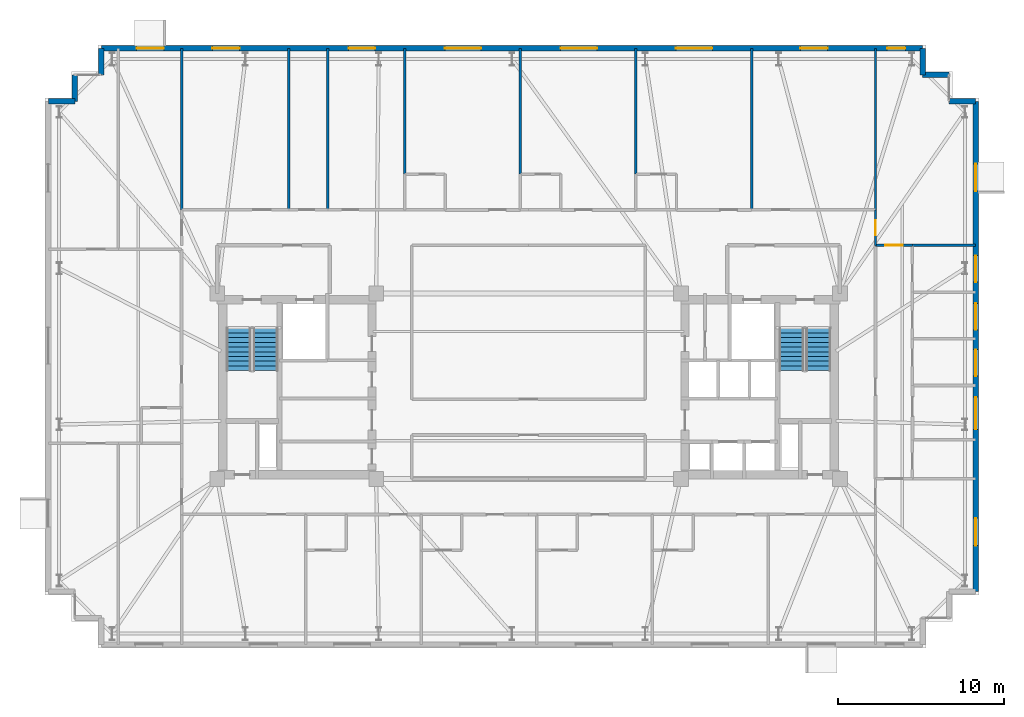
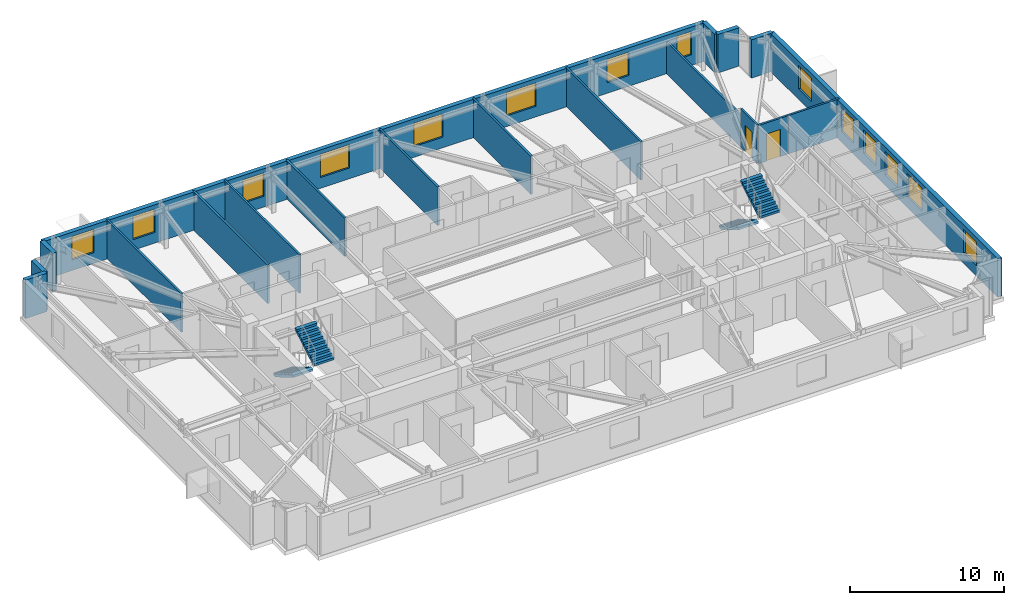
# One storey, part 15 of 17: 19 walls, 14 windows, 4 stair flights, 2 doors, 16 openings, 2 elements without a shape of their own.
"""IFC4 building model written with IfcOpenShell, lengths in metres."""

import ifcopenshell
import ifcopenshell.guid

model = None  # the IFC model being written
_history = None  # IfcOwnerHistory: only IFC2X3 demands one
_inside = {}  # id of a spatial element -> (the spatial element, [elements in it])
_under = {}  # id of a project, library or spatial element -> (it, [spatial elements below it])
_declared = {}  # id of a project -> (the project, [libraries it declares])
_typed = {}  # id of a type object -> (the type object, [elements of that type])
_made_of = {}  # id of a material, layer set ... -> (it, [elements and type objects made of it])


def new_model(schema):
    """Start an empty IFC model of exactly this schema.

    Asked for "IFC4X3", IfcOpenShell would pick the latest addendum, in which some entities
    have other attributes; the version numbers below select the first issue.
    IFC2X3 requires an IfcOwnerHistory on every rooted entity: one is made here for all.
    """
    global model, _history
    if schema == "IFC4X3":
        model = ifcopenshell.file(schema_version=(4, 3, 0, 0))
    else:
        model = ifcopenshell.file(schema=schema)
    _inside.clear()
    _under.clear()
    _declared.clear()
    _typed.clear()
    _made_of.clear()
    _history = None
    if model.schema == "IFC2X3":
        org = make("IfcOrganization", Name="unknown")
        user = make(
            "IfcPersonAndOrganization",
            ThePerson=make("IfcPerson", FamilyName="unknown"),
            TheOrganization=org,
        )
        app = make(
            "IfcApplication",
            ApplicationDeveloper=org,
            Version="unknown",
            ApplicationFullName="unknown",
            ApplicationIdentifier="unknown",
        )
        _history = make(
            "IfcOwnerHistory",
            OwningUser=user,
            OwningApplication=app,
            ChangeAction="ADDED",
            CreationDate=0,
        )
    return model


def make(cls, **values):
    """One entity of the class cls with the attributes given. An attribute that is None is left unset."""
    return model.create_entity(
        cls, **{name: value for name, value in values.items() if value is not None}
    )


def rooted(cls, **values):
    """An entity with a GlobalId (a new one), such as an element, a storey or a relation."""
    return make(cls, GlobalId=ifcopenshell.guid.new(), OwnerHistory=_history, **values)


def si_unit(unit_type, name, prefix=None):
    """IfcSIUnit, for example si_unit("LENGTHUNIT", "METRE", prefix="MILLI")."""
    return make("IfcSIUnit", UnitType=unit_type, Prefix=prefix, Name=name)


def assignment(units):
    """IfcUnitAssignment: the units of a project."""
    return None if units is None else make("IfcUnitAssignment", Units=units)


def point(xyz):
    """IfcCartesianPoint."""
    return None if xyz is None else make("IfcCartesianPoint", Coordinates=xyz)


def direction(xyz):
    """IfcDirection."""
    return None if xyz is None else make("IfcDirection", DirectionRatios=xyz)


def frame(location, z_axis=None, x_axis=None):
    """IfcAxis2Placement3D, a coordinate frame: its origin and axes. An axis left out is left unset."""
    return make(
        "IfcAxis2Placement3D",
        Location=point(location),
        Axis=direction(z_axis),
        RefDirection=direction(x_axis),
    )


def frame_2d(location, x_axis=None):
    """IfcAxis2Placement2D, a coordinate frame in the plane: its origin and x axis."""
    return make(
        "IfcAxis2Placement2D", Location=point(location), RefDirection=direction(x_axis)
    )


def origin():
    """The frame at (0, 0, 0) with its axes left unset."""
    return frame((0.0, 0.0, 0.0))


def place(relative_to, where):
    """IfcLocalPlacement: puts the frame where relative to a parent placement (None: the world)."""
    return make(
        "IfcLocalPlacement", PlacementRelTo=relative_to, RelativePlacement=where
    )


def context(
    kind, dimensions, precision=None, world=None, true_north=None, identifier=None
):
    """IfcGeometricRepresentationContext, for example the 3D "Model" context."""
    return make(
        "IfcGeometricRepresentationContext",
        ContextIdentifier=identifier,
        ContextType=kind,
        CoordinateSpaceDimension=dimensions,
        Precision=precision,
        WorldCoordinateSystem=world,
        TrueNorth=true_north,
    )


def subcontext(parent, identifier, kind, view, scale=None):
    """IfcGeometricRepresentationSubContext, for example "Body" below "Model"."""
    return make(
        "IfcGeometricRepresentationSubContext",
        ContextIdentifier=identifier,
        ContextType=kind,
        ParentContext=parent,
        TargetScale=scale,
        TargetView=view,
    )


def project(units=None, contexts=None):
    """IfcProject with its units and contexts."""
    return rooted(
        "IfcProject",
        Name="project",
        RepresentationContexts=contexts,
        UnitsInContext=assignment(units),
    )


def spatial(cls, under=None, at=None, **own):
    """A site, building, storey or space (cls), placed at a placement, below another one or the project."""
    s = rooted(cls, ObjectPlacement=at, **own)
    if under is not None:
        _under.setdefault(under.id(), (under, []))[1].append(s)
    return s


def polyline(points):
    """IfcPolyline through the points."""
    return make("IfcPolyline", Points=[point(p) for p in points])


def profile(cls, at=None, kind="AREA", **sizes):
    """A parametric profile (cls). Its sizes go by their IFC names, for example OverallWidth=200.0."""
    return make(cls, ProfileType=kind, Position=at, **sizes)


def rectangle(**sizes):
    """IfcRectangleProfileDef."""
    return profile("IfcRectangleProfileDef", **sizes)


def outline(outer, holes=None, kind="AREA"):
    """IfcArbitraryClosedProfileDef: a profile drawn as a closed curve; with holes, ...WithVoids."""
    if holes is None:
        return make("IfcArbitraryClosedProfileDef", ProfileType=kind, OuterCurve=outer)
    return make(
        "IfcArbitraryProfileDefWithVoids",
        ProfileType=kind,
        OuterCurve=outer,
        InnerCurves=holes,
    )


def extrude(swept, where, along, depth):
    """IfcExtrudedAreaSolid: the profile swept, set in the frame where, extruded along a direction by depth."""
    return make(
        "IfcExtrudedAreaSolid",
        SweptArea=swept,
        Position=where,
        ExtrudedDirection=direction(along),
        Depth=depth,
    )


def shape(context_of_items, identifier, shape_type, items):
    """IfcShapeRepresentation: the items that make up one representation, for example the "Body"."""
    return make(
        "IfcShapeRepresentation",
        ContextOfItems=context_of_items,
        RepresentationIdentifier=identifier,
        RepresentationType=shape_type,
        Items=items,
    )


def material(Name=None, Category=None):
    """IfcMaterial."""
    return make("IfcMaterial", Name=Name, Category=Category)


def layer(
    of_material, thickness, ventilated=None, Name=None, Category=None, Priority=None
):
    """IfcMaterialLayer: one layer of a wall or slab, of a material (None: an air gap)."""
    return make(
        "IfcMaterialLayer",
        Material=of_material,
        LayerThickness=thickness,
        IsVentilated=ventilated,
        Name=Name,
        Category=Category,
        Priority=Priority,
    )


def layer_set(layers, Name=None):
    """IfcMaterialLayerSet."""
    return make("IfcMaterialLayerSet", MaterialLayers=layers, LayerSetName=Name)


def made_of(thing, what):
    """Note that an element or type object is made of a material, layer set ...; save() writes the relation."""
    if what is not None:
        _made_of.setdefault(what.id(), (what, []))[1].append(thing)
    return thing


def type_object(cls, material=None, **own):
    """A type object (cls), such as IfcWallType, which elements share."""
    return made_of(rooted(cls, **own), material)


def element(
    cls,
    number,
    at=None,
    inside=None,
    cuts=None,
    type_object=None,
    material=None,
    context=None,
    identifier="Body",
    shape_type=None,
    held_by="IfcProductDefinitionShape",
    body=None,
    shapes=None,
    **own,
):
    """One element of the class cls, such as IfcWall. Its Tag is "e" and its number.

    at: its placement. inside: the storey or other place that contains it. cuts: it is an
    opening in that element (IfcRelVoidsElement). A single representation is given by context,
    identifier, shape_type and body (its items); several are given by shapes. held_by: the class
    of the entity that holds the representations. save() writes the other relations.
    """
    e = rooted(cls, Tag="e%d" % number, ObjectPlacement=at, **own)
    if body is not None:
        shapes = [shape(context, identifier, shape_type, body)]
    if shapes is not None:
        e.Representation = make(held_by, Representations=shapes)
    if inside is not None:
        _inside.setdefault(inside.id(), (inside, []))[1].append(e)
    if cuts is not None:
        rooted(
            "IfcRelVoidsElement", RelatingBuildingElement=cuts, RelatedOpeningElement=e
        )
    if type_object is not None:
        _typed.setdefault(type_object.id(), (type_object, []))[1].append(e)
    return made_of(e, material)


def fill(opening, filler):
    """IfcRelFillsElement: the door or window that sits in an opening."""
    return rooted(
        "IfcRelFillsElement",
        RelatingOpeningElement=opening,
        RelatedBuildingElement=filler,
    )


def aggregate(whole, parts):
    """IfcRelAggregates: a whole, such as a stair, and the parts it consists of."""
    return rooted("IfcRelAggregates", RelatingObject=whole, RelatedObjects=parts)


def save(model, path):
    """Write the relations noted so far, then the file.

    IfcRelAggregates (storeys below a building ...), IfcRelContainedInSpatialStructure (elements
    in a storey), IfcRelDefinesByType, IfcRelAssociatesMaterial and IfcRelDeclares: one each for
    every whole, place, type object, material and project.
    """
    for whole, parts in _under.values():
        aggregate(whole, parts)
    for where, things in _inside.values():
        rooted(
            "IfcRelContainedInSpatialStructure",
            RelatedElements=things,
            RelatingStructure=where,
        )
    for kind, things in _typed.values():
        rooted("IfcRelDefinesByType", RelatedObjects=things, RelatingType=kind)
    for what, things in _made_of.values():
        rooted("IfcRelAssociatesMaterial", RelatedObjects=things, RelatingMaterial=what)
    for by, libraries in _declared.values():
        rooted("IfcRelDeclares", RelatingContext=by, RelatedDefinitions=libraries)
    model.write(path)


model = new_model("IFC4")

# Units and contexts
model_context = context("Model", 3, precision=1e-05, world=origin(), true_north=direction((0.0, 1.0)))
body_context = subcontext(model_context, "Body", "Model", "MODEL_VIEW")
ifc_project = project(units=[si_unit("LENGTHUNIT", "METRE"), si_unit("AREAUNIT", "SQUARE_METRE"), si_unit("VOLUMEUNIT", "CUBIC_METRE"), si_unit("PLANEANGLEUNIT", "RADIAN"), si_unit("MASSUNIT", "GRAM", prefix="KILO")], contexts=[model_context])

# Site, building, storey
site_placement = place(None, origin())
site = spatial("IfcSite", under=ifc_project, at=site_placement, CompositionType="ELEMENT")
building_placement = place(site_placement, origin())
building = spatial("IfcBuilding", under=site, at=building_placement, Name="Qobustan Lattice House", CompositionType="ELEMENT")
storey_placement = place(building_placement, frame((0.0, 0.0, 161.14990234375)))
storey = spatial("IfcBuildingStorey", under=building, at=storey_placement, Name="L45", CompositionType="ELEMENT", Elevation=161.14990234375)

# Walls
ifc_material_1 = material(Name="Precast concrete C40/50", Category="concrete")
ifc_layer_1 = layer(ifc_material_1, 0.320068359375)
ifc_layer_set_1 = layer_set([ifc_layer_1], Name="Precast concrete C40/50")
wall_type_1 = type_object("IfcWallType", Name="WAL-EXT-STONE-320", PredefinedType="SOLIDWALL", material=ifc_layer_set_1)
for number, where, z_axis, x_axis, name in (
    (1, (-29.0, 17.199951171875, 0.0), (0.0, 0.0, 1.0), (1.0, 0.0, 0.0), "L45 exterior limestone-clad wall 6"),
    (2, (-27.39990234375, 17.199951171875, 0.0), (0.0, 0.0, 1.0), (0.0, 1.0, 0.0), "L45 exterior limestone-clad wall 7"),
):
    element("IfcWall", number, at=place(storey_placement, frame(where, z_axis=z_axis, x_axis=x_axis)), inside=storey, type_object=wall_type_1, Name=name, PredefinedType="SOLIDWALL", context=body_context, shape_type="SweptSolid", body=[
        extrude(rectangle(XDim=1.60009765625, YDim=0.320068359375, at=frame_2d((0.800048828125, 0.0))), origin(), (0.0, 0.0, 1.0), 3.0400390625),
    ])
wall_1_placement = place(storey_placement, frame((-25.800048828125, 18.800048828125, 0.0), z_axis=(0.0, 0.0, 1.0), x_axis=(0.0, 1.0, 0.0)))
element("IfcWall", 3, at=wall_1_placement, inside=storey, type_object=wall_type_1, Name="L45 exterior limestone-clad wall 9", PredefinedType="SOLIDWALL", context=body_context, shape_type="SweptSolid", body=[
    extrude(rectangle(XDim=1.599853515625, YDim=0.320068359375, at=frame_2d((0.7998046875, 0.0))), origin(), (0.0, 0.0, 1.0), 3.0400390625),
])

# Wall, openings, windows
wall_2_placement = place(storey_placement, frame((-25.800048828125, 20.39990234375, 0.0), z_axis=(0.0, 0.0, 1.0), x_axis=(1.0, 0.0, 0.0)))
wall_2 = element("IfcWall", 4, at=wall_2_placement, inside=storey, type_object=wall_type_1, Name="L45 exterior limestone-clad wall 10", PredefinedType="SOLIDWALL", context=body_context, shape_type="SweptSolid", body=[
    extrude(rectangle(XDim=49.60009765625, YDim=0.320068359375, at=frame_2d((24.800048828125, 0.0))), origin(), (0.0, 0.0, 1.0), 3.0400390625),
])
opening_1_placement = place(wall_2_placement, frame((2.135009765625, 0.0, 0.85009765625)))
opening_1 = element("IfcOpeningElement", 5, at=opening_1_placement, cuts=wall_2, Name="Opening WN-09", PredefinedType="OPENING", context=body_context, shape_type="SweptSolid", body=[
    extrude(rectangle(XDim=1.64990234375, YDim=1.85009765625, at=frame_2d((0.824951171875, 0.925048828125))), frame((0.0, 0.169921875, 0.0), z_axis=(0.0, -1.0, 0.0), x_axis=(1.0, 0.0, 0.0)), (0.0, 0.0, 1.0), 0.340087890625),
])
opening_2_placement = place(wall_2_placement, frame((6.70556640625, 0.0, 0.85009765625)))
opening_2 = element("IfcOpeningElement", 6, at=opening_2_placement, cuts=wall_2, Name="Opening WN-09", PredefinedType="OPENING", context=body_context, shape_type="SweptSolid", body=[
    extrude(rectangle(XDim=1.64990234375, YDim=1.85009765625, at=frame_2d((0.824951171875, 0.925048828125))), frame((0.0, 0.169921875, 0.0), z_axis=(0.0, -1.0, 0.0), x_axis=(1.0, 0.0, 0.0)), (0.0, 0.0, 1.0), 0.340087890625),
])
opening_3_placement = place(wall_2_placement, frame((14.930908203125, 0.0, 0.85009765625)))
opening_3 = element("IfcOpeningElement", 7, at=opening_3_placement, cuts=wall_2, Name="Opening WN-13", PredefinedType="OPENING", context=body_context, shape_type="SweptSolid", body=[
    extrude(rectangle(XDim=1.60009765625, YDim=1.85009765625, at=frame_2d((0.800048828125, 0.925048828125))), frame((0.0, 0.169921875, 0.0), z_axis=(0.0, -1.0, 0.0), x_axis=(1.0, 0.0, 0.0)), (0.0, 0.0, 1.0), 0.340087890625),
])
opening_4_placement = place(wall_2_placement, frame((20.739990234375, 0.0, 0.85009765625)))
opening_4 = element("IfcOpeningElement", 8, at=opening_4_placement, cuts=wall_2, Name="Opening WN-03", PredefinedType="OPENING", context=body_context, shape_type="SweptSolid", body=[
    extrude(rectangle(XDim=2.199951171875, YDim=1.85009765625, at=frame_2d((1.10009765625, 0.925048828125))), frame((0.0, 0.169921875, 0.0), z_axis=(0.0, -1.0, 0.0), x_axis=(1.0, 0.0, 0.0)), (0.0, 0.0, 1.0), 0.340087890625),
])
opening_5_placement = place(wall_2_placement, frame((27.739990234375, 0.0, 0.85009765625)))
opening_5 = element("IfcOpeningElement", 9, at=opening_5_placement, cuts=wall_2, Name="Opening WN-03", PredefinedType="OPENING", context=body_context, shape_type="SweptSolid", body=[
    extrude(rectangle(XDim=2.199951171875, YDim=1.85009765625, at=frame_2d((1.10009765625, 0.925048828125))), frame((0.0, 0.169921875, 0.0), z_axis=(0.0, -1.0, 0.0), x_axis=(1.0, 0.0, 0.0)), (0.0, 0.0, 1.0), 0.340087890625),
])
opening_6_placement = place(wall_2_placement, frame((34.699951171875, 0.0, 0.85009765625)))
opening_6 = element("IfcOpeningElement", 10, at=opening_6_placement, cuts=wall_2, Name="Opening WN-03", PredefinedType="OPENING", context=body_context, shape_type="SweptSolid", body=[
    extrude(rectangle(XDim=2.199951171875, YDim=1.85009765625, at=frame_2d((1.10009765625, 0.925048828125))), frame((0.0, 0.169921875, 0.0), z_axis=(0.0, -1.0, 0.0), x_axis=(1.0, 0.0, 0.0)), (0.0, 0.0, 1.0), 0.340087890625),
])
opening_7_placement = place(wall_2_placement, frame((42.215087890625, 0.0, 0.85009765625)))
opening_7 = element("IfcOpeningElement", 11, at=opening_7_placement, cuts=wall_2, Name="Opening WN-09", PredefinedType="OPENING", context=body_context, shape_type="SweptSolid", body=[
    extrude(rectangle(XDim=1.64990234375, YDim=1.85009765625, at=frame_2d((0.824951171875, 0.925048828125))), frame((0.0, 0.169921875, 0.0), z_axis=(0.0, -1.0, 0.0), x_axis=(1.0, 0.0, 0.0)), (0.0, 0.0, 1.0), 0.340087890625),
])
opening_8_placement = place(wall_2_placement, frame((47.449951171875, 0.0, 0.85009765625)))
opening_8 = element("IfcOpeningElement", 12, at=opening_8_placement, cuts=wall_2, Name="Opening WN-04", PredefinedType="OPENING", context=body_context, shape_type="SweptSolid", body=[
    extrude(rectangle(XDim=1.10009765625, YDim=1.85009765625, at=frame_2d((0.550048828125, 0.925048828125))), frame((0.0, 0.169921875, 0.0), z_axis=(0.0, -1.0, 0.0), x_axis=(1.0, 0.0, 0.0)), (0.0, 0.0, 1.0), 0.340087890625),
])
ifc_material_2 = material(Name="Double-glazed low-E aluminium window", Category="aluminium")
window_type_1 = type_object("IfcWindowType", Name="WIN-BED-1600x1850", PartitioningType="SINGLE_PANEL", PredefinedType="WINDOW", material=ifc_material_2)
window_1_placement = place(opening_3_placement, origin())
window_1 = element("IfcWindow", 13, at=window_1_placement, inside=storey, type_object=window_type_1, Name="L45 Laundry utility room window", OverallHeight=1.85009765625, OverallWidth=1.60009765625, PartitioningType="SINGLE_PANEL", PredefinedType="WINDOW", context=body_context, shape_type="SweptSolid", body=[
    extrude(rectangle(XDim=1.60009765625, YDim=1.85009765625, at=frame_2d((0.800048828125, 0.925048828125))), frame((0.0, 0.030029296875, 0.0), z_axis=(0.0, -1.0, 0.0), x_axis=(1.0, 0.0, 0.0)), (0.0, 0.0, 1.0), 0.06005859375),
])
fill(opening_3, window_1)
ifc_material_3 = material(Name="Double-glazed low-E aluminium window", Category="aluminium")
window_type_2 = type_object("IfcWindowType", Name="WIN-NAR-1100x1850", PartitioningType="SINGLE_PANEL", PredefinedType="WINDOW", material=ifc_material_3)
window_2_placement = place(opening_8_placement, origin())
window_2 = element("IfcWindow", 14, at=window_2_placement, inside=storey, type_object=window_type_2, Name="L45 Reading study room L45EN window", OverallHeight=1.85009765625, OverallWidth=1.10009765625, PartitioningType="SINGLE_PANEL", PredefinedType="WINDOW", context=body_context, shape_type="SweptSolid", body=[
    extrude(rectangle(XDim=1.10009765625, YDim=1.85009765625, at=frame_2d((0.550048828125, 0.925048828125))), frame((0.0, 0.030029296875, 0.0), z_axis=(0.0, -1.0, 0.0), x_axis=(1.0, 0.0, 0.0)), (0.0, 0.0, 1.0), 0.06005859375),
])
fill(opening_8, window_2)
ifc_material_4 = material(Name="Double-glazed low-E aluminium window", Category="aluminium")
window_type_3 = type_object("IfcWindowType", Name="WIN-STU-1650x1850", PartitioningType="SINGLE_PANEL", PredefinedType="WINDOW", material=ifc_material_4)
window_3_placement = place(opening_1_placement, origin())
window_3 = element("IfcWindow", 15, at=window_3_placement, inside=storey, type_object=window_type_3, Name="L45 Focus study room W3B window", OverallHeight=1.85009765625, OverallWidth=1.64990234375, PartitioningType="SINGLE_PANEL", PredefinedType="WINDOW", context=body_context, shape_type="SweptSolid", body=[
    extrude(rectangle(XDim=1.64990234375, YDim=1.85009765625, at=frame_2d((0.824951171875, 0.925048828125))), frame((0.0, 0.030029296875, 0.0), z_axis=(0.0, -1.0, 0.0), x_axis=(1.0, 0.0, 0.0)), (0.0, 0.0, 1.0), 0.06005859375),
])
fill(opening_1, window_3)
window_4_placement = place(opening_2_placement, origin())
window_4 = element("IfcWindow", 16, at=window_4_placement, inside=storey, type_object=window_type_3, Name="L45 Focus study room N1 window", OverallHeight=1.85009765625, OverallWidth=1.64990234375, PartitioningType="SINGLE_PANEL", PredefinedType="WINDOW", context=body_context, shape_type="SweptSolid", body=[
    extrude(rectangle(XDim=1.64990234375, YDim=1.85009765625, at=frame_2d((0.824951171875, 0.925048828125))), frame((0.0, 0.030029296875, 0.0), z_axis=(0.0, -1.0, 0.0), x_axis=(1.0, 0.0, 0.0)), (0.0, 0.0, 1.0), 0.06005859375),
])
fill(opening_2, window_4)
window_5_placement = place(opening_7_placement, origin())
window_5 = element("IfcWindow", 17, at=window_5_placement, inside=storey, type_object=window_type_3, Name="L45 Focus study room N6 window", OverallHeight=1.85009765625, OverallWidth=1.64990234375, PartitioningType="SINGLE_PANEL", PredefinedType="WINDOW", context=body_context, shape_type="SweptSolid", body=[
    extrude(rectangle(XDim=1.64990234375, YDim=1.85009765625, at=frame_2d((0.824951171875, 0.925048828125))), frame((0.0, 0.030029296875, 0.0), z_axis=(0.0, -1.0, 0.0), x_axis=(1.0, 0.0, 0.0)), (0.0, 0.0, 1.0), 0.06005859375),
])
fill(opening_7, window_5)
ifc_material_5 = material(Name="Double-glazed low-E aluminium window", Category="aluminium")
window_type_4 = type_object("IfcWindowType", Name="WIN-WIDE-2200x1850", PartitioningType="SINGLE_PANEL", PredefinedType="WINDOW", material=ifc_material_5)
window_6_placement = place(opening_4_placement, origin())
window_6 = element("IfcWindow", 18, at=window_6_placement, inside=storey, type_object=window_type_4, Name="L45 Kitchenette and studio apartment L45-N3 window", OverallHeight=1.85009765625, OverallWidth=2.199951171875, PartitioningType="SINGLE_PANEL", PredefinedType="WINDOW", context=body_context, shape_type="SweptSolid", body=[
    extrude(rectangle(XDim=2.199951171875, YDim=1.85009765625, at=frame_2d((1.10009765625, 0.925048828125))), frame((0.0, 0.030029296875, 0.0), z_axis=(0.0, -1.0, 0.0), x_axis=(1.0, 0.0, 0.0)), (0.0, 0.0, 1.0), 0.06005859375),
])
fill(opening_4, window_6)
window_7_placement = place(opening_5_placement, origin())
window_7 = element("IfcWindow", 19, at=window_7_placement, inside=storey, type_object=window_type_4, Name="L45 Kitchenette and studio apartment L45-N4 window", OverallHeight=1.85009765625, OverallWidth=2.199951171875, PartitioningType="SINGLE_PANEL", PredefinedType="WINDOW", context=body_context, shape_type="SweptSolid", body=[
    extrude(rectangle(XDim=2.199951171875, YDim=1.85009765625, at=frame_2d((1.10009765625, 0.925048828125))), frame((0.0, 0.030029296875, 0.0), z_axis=(0.0, -1.0, 0.0), x_axis=(1.0, 0.0, 0.0)), (0.0, 0.0, 1.0), 0.06005859375),
])
fill(opening_5, window_7)
window_8_placement = place(opening_6_placement, origin())
window_8 = element("IfcWindow", 20, at=window_8_placement, inside=storey, type_object=window_type_4, Name="L45 Kitchenette and studio apartment L45-N5 window", OverallHeight=1.85009765625, OverallWidth=2.199951171875, PartitioningType="SINGLE_PANEL", PredefinedType="WINDOW", context=body_context, shape_type="SweptSolid", body=[
    extrude(rectangle(XDim=2.199951171875, YDim=1.85009765625, at=frame_2d((1.10009765625, 0.925048828125))), frame((0.0, 0.030029296875, 0.0), z_axis=(0.0, -1.0, 0.0), x_axis=(1.0, 0.0, 0.0)), (0.0, 0.0, 1.0), 0.06005859375),
])
fill(opening_6, window_8)

# Walls
for number, where, z_axis, x_axis, name in (
    (21, (23.800048828125, 20.39990234375, 0.0), (0.0, 0.0, 1.0), (0.0, -1.0, 0.0), "L45 exterior limestone-clad wall 11"),
    (22, (23.800048828125, 18.800048828125, 0.0), (0.0, 0.0, 1.0), (1.0, 0.0, 0.0), "L45 exterior limestone-clad wall 12"),
):
    element("IfcWall", number, at=place(storey_placement, frame(where, z_axis=z_axis, x_axis=x_axis)), inside=storey, type_object=wall_type_1, Name=name, PredefinedType="SOLIDWALL", context=body_context, shape_type="SweptSolid", body=[
        extrude(rectangle(XDim=1.599853515625, YDim=0.320068359375, at=frame_2d((0.7998046875, 0.0))), origin(), (0.0, 0.0, 1.0), 3.0400390625),
    ])
wall_3_placement = place(storey_placement, frame((25.39990234375, 17.199951171875, 0.0), z_axis=(0.0, 0.0, 1.0), x_axis=(1.0, 0.0, 0.0)))
element("IfcWall", 23, at=wall_3_placement, inside=storey, type_object=wall_type_1, Name="L45 exterior limestone-clad wall 14", PredefinedType="SOLIDWALL", context=body_context, shape_type="SweptSolid", body=[
    extrude(rectangle(XDim=1.60009765625, YDim=0.320068359375, at=frame_2d((0.800048828125, 0.0))), origin(), (0.0, 0.0, 1.0), 3.0400390625),
])

# Wall, openings, windows
wall_4_placement = place(storey_placement, frame((27.0, 17.199951171875, 0.0), z_axis=(0.0, 0.0, 1.0), x_axis=(0.0, -1.0, 0.0)))
wall_4 = element("IfcWall", 24, at=wall_4_placement, inside=storey, type_object=wall_type_1, Name="L45 exterior limestone-clad wall 15", PredefinedType="SOLIDWALL", context=body_context, shape_type="SweptSolid", body=[
    extrude(rectangle(XDim=29.599853515625, YDim=0.320068359375, at=frame_2d((14.7998046875, 0.0))), origin(), (0.0, 0.0, 1.0), 3.0400390625),
])
opening_9_placement = place(wall_4_placement, frame((3.77490234375, 0.0, 0.85009765625)))
opening_9 = element("IfcOpeningElement", 25, at=opening_9_placement, cuts=wall_4, Name="Opening WN-09", PredefinedType="OPENING", context=body_context, shape_type="SweptSolid", body=[
    extrude(rectangle(XDim=1.64990234375, YDim=1.85009765625, at=frame_2d((0.824951171875, 0.925048828125))), frame((0.0, 0.169921875, 0.0), z_axis=(0.0, -1.0, 0.0), x_axis=(1.0, 0.0, 0.0)), (0.0, 0.0, 1.0), 0.340087890625),
])
opening_10_placement = place(wall_4_placement, frame((9.320068359375, 0.0, 0.85009765625)))
opening_10 = element("IfcOpeningElement", 26, at=opening_10_placement, cuts=wall_4, Name="Opening WN-13", PredefinedType="OPENING", context=body_context, shape_type="SweptSolid", body=[
    extrude(rectangle(XDim=1.60009765625, YDim=1.85009765625, at=frame_2d((0.800048828125, 0.925048828125))), frame((0.0, 0.169921875, 0.0), z_axis=(0.0, -1.0, 0.0), x_axis=(1.0, 0.0, 0.0)), (0.0, 0.0, 1.0), 0.340087890625),
])
opening_11_placement = place(wall_4_placement, frame((12.199951171875, 0.0, 0.85009765625)))
opening_11 = element("IfcOpeningElement", 27, at=opening_11_placement, cuts=wall_4, Name="Opening WN-13", PredefinedType="OPENING", context=body_context, shape_type="SweptSolid", body=[
    extrude(rectangle(XDim=1.60009765625, YDim=1.85009765625, at=frame_2d((0.800048828125, 0.925048828125))), frame((0.0, 0.169921875, 0.0), z_axis=(0.0, -1.0, 0.0), x_axis=(1.0, 0.0, 0.0)), (0.0, 0.0, 1.0), 0.340087890625),
])
opening_12_placement = place(wall_4_placement, frame((15.0, 0.0, 0.85009765625)))
opening_12 = element("IfcOpeningElement", 28, at=opening_12_placement, cuts=wall_4, Name="Opening WN-13", PredefinedType="OPENING", context=body_context, shape_type="SweptSolid", body=[
    extrude(rectangle(XDim=1.60009765625, YDim=1.85009765625, at=frame_2d((0.800048828125, 0.925048828125))), frame((0.0, 0.169921875, 0.0), z_axis=(0.0, -1.0, 0.0), x_axis=(1.0, 0.0, 0.0)), (0.0, 0.0, 1.0), 0.340087890625),
])
opening_13_placement = place(wall_4_placement, frame((17.864990234375, 0.0, 0.85009765625)))
opening_13 = element("IfcOpeningElement", 29, at=opening_13_placement, cuts=wall_4, Name="Opening WN-08", PredefinedType="OPENING", context=body_context, shape_type="SweptSolid", body=[
    extrude(rectangle(XDim=1.949951171875, YDim=1.85009765625, at=frame_2d((0.97509765625, 0.925048828125))), frame((0.0, 0.169921875, 0.0), z_axis=(0.0, -1.0, 0.0), x_axis=(1.0, 0.0, 0.0)), (0.0, 0.0, 1.0), 0.340087890625),
])
opening_14_placement = place(wall_4_placement, frame((25.175048828125, 0.0, 0.85009765625)))
opening_14 = element("IfcOpeningElement", 30, at=opening_14_placement, cuts=wall_4, Name="Opening WN-09", PredefinedType="OPENING", context=body_context, shape_type="SweptSolid", body=[
    extrude(rectangle(XDim=1.64990234375, YDim=1.85009765625, at=frame_2d((0.824951171875, 0.925048828125))), frame((0.0, 0.169921875, 0.0), z_axis=(0.0, -1.0, 0.0), x_axis=(1.0, 0.0, 0.0)), (0.0, 0.0, 1.0), 0.340087890625),
])
window_9_placement = place(opening_10_placement, origin())
window_9 = element("IfcWindow", 31, at=window_9_placement, inside=storey, type_object=window_type_1, Name="L45 Cluster bedroom L45E3 window", OverallHeight=1.85009765625, OverallWidth=1.60009765625, PartitioningType="SINGLE_PANEL", PredefinedType="WINDOW", context=body_context, shape_type="SweptSolid", body=[
    extrude(rectangle(XDim=1.60009765625, YDim=1.85009765625, at=frame_2d((0.800048828125, 0.925048828125))), frame((0.0, 0.030029296875, 0.0), z_axis=(0.0, -1.0, 0.0), x_axis=(1.0, 0.0, 0.0)), (0.0, 0.0, 1.0), 0.06005859375),
])
fill(opening_10, window_9)
window_10_placement = place(opening_11_placement, origin())
window_10 = element("IfcWindow", 32, at=window_10_placement, inside=storey, type_object=window_type_1, Name="L45 Cluster bedroom L45E2 window", OverallHeight=1.85009765625, OverallWidth=1.60009765625, PartitioningType="SINGLE_PANEL", PredefinedType="WINDOW", context=body_context, shape_type="SweptSolid", body=[
    extrude(rectangle(XDim=1.60009765625, YDim=1.85009765625, at=frame_2d((0.800048828125, 0.925048828125))), frame((0.0, 0.030029296875, 0.0), z_axis=(0.0, -1.0, 0.0), x_axis=(1.0, 0.0, 0.0)), (0.0, 0.0, 1.0), 0.06005859375),
])
fill(opening_11, window_10)
window_11_placement = place(opening_12_placement, origin())
window_11 = element("IfcWindow", 33, at=window_11_placement, inside=storey, type_object=window_type_1, Name="L45 Cluster bedroom L45E1 window", OverallHeight=1.85009765625, OverallWidth=1.60009765625, PartitioningType="SINGLE_PANEL", PredefinedType="WINDOW", context=body_context, shape_type="SweptSolid", body=[
    extrude(rectangle(XDim=1.60009765625, YDim=1.85009765625, at=frame_2d((0.800048828125, 0.925048828125))), frame((0.0, 0.030029296875, 0.0), z_axis=(0.0, -1.0, 0.0), x_axis=(1.0, 0.0, 0.0)), (0.0, 0.0, 1.0), 0.06005859375),
])
fill(opening_12, window_11)
ifc_material_6 = material(Name="Double-glazed low-E aluminium window", Category="aluminium")
window_type_5 = type_object("IfcWindowType", Name="WIN-KIT-1950x1850", PartitioningType="SINGLE_PANEL", PredefinedType="WINDOW", material=ifc_material_6)
window_12_placement = place(opening_13_placement, origin())
window_12 = element("IfcWindow", 34, at=window_12_placement, inside=storey, type_object=window_type_5, Name="L45 Shared kitchen L45E window", OverallHeight=1.85009765625, OverallWidth=1.949951171875, PartitioningType="SINGLE_PANEL", PredefinedType="WINDOW", context=body_context, shape_type="SweptSolid", body=[
    extrude(rectangle(XDim=1.949951171875, YDim=1.85009765625, at=frame_2d((0.97509765625, 0.925048828125))), frame((0.0, 0.030029296875, 0.0), z_axis=(0.0, -1.0, 0.0), x_axis=(1.0, 0.0, 0.0)), (0.0, 0.0, 1.0), 0.06005859375),
])
fill(opening_13, window_12)
window_13_placement = place(opening_9_placement, origin())
window_13 = element("IfcWindow", 35, at=window_13_placement, inside=storey, type_object=window_type_3, Name="L45 Reading study room L45EN window", OverallHeight=1.85009765625, OverallWidth=1.64990234375, PartitioningType="SINGLE_PANEL", PredefinedType="WINDOW", context=body_context, shape_type="SweptSolid", body=[
    extrude(rectangle(XDim=1.64990234375, YDim=1.85009765625, at=frame_2d((0.824951171875, 0.925048828125))), frame((0.0, 0.030029296875, 0.0), z_axis=(0.0, -1.0, 0.0), x_axis=(1.0, 0.0, 0.0)), (0.0, 0.0, 1.0), 0.06005859375),
])
fill(opening_9, window_13)
window_14_placement = place(opening_14_placement, origin())
window_14 = element("IfcWindow", 36, at=window_14_placement, inside=storey, type_object=window_type_3, Name="L45 Reading study room L45ES window", OverallHeight=1.85009765625, OverallWidth=1.64990234375, PartitioningType="SINGLE_PANEL", PredefinedType="WINDOW", context=body_context, shape_type="SweptSolid", body=[
    extrude(rectangle(XDim=1.64990234375, YDim=1.85009765625, at=frame_2d((0.824951171875, 0.925048828125))), frame((0.0, 0.030029296875, 0.0), z_axis=(0.0, -1.0, 0.0), x_axis=(1.0, 0.0, 0.0)), (0.0, 0.0, 1.0), 0.06005859375),
])
fill(opening_14, window_14)

# Wall, opening, door
ifc_material_7 = material(Name="Acoustic twin-stud gypsum partition", Category="gypsum")
ifc_layer_2 = layer(ifc_material_7, 0.14990234375)
ifc_layer_set_2 = layer_set([ifc_layer_2], Name="Acoustic twin-stud gypsum partition")
wall_type_2 = type_object("IfcWallType", Name="WAL-PART-150", PredefinedType="PARTITIONING", material=ifc_layer_set_2)
wall_5_placement = place(storey_placement, frame((20.949951171875, 10.64990234375, 0.0), z_axis=(0.0, 0.0, 1.0), x_axis=(0.0, -1.0, 0.0)))
wall_5 = element("IfcWall", 37, at=wall_5_placement, inside=storey, type_object=wall_type_2, Name="L45 interior partition 39", PredefinedType="PARTITIONING", context=body_context, shape_type="SweptSolid", body=[
    extrude(rectangle(XDim=2.14990234375, YDim=0.14990234375, at=frame_2d((1.074951171875, 0.0))), origin(), (0.0, 0.0, 1.0), 3.0400390625),
])
opening_15_placement = place(wall_5_placement, frame((0.625, 0.0, 0.0)))
opening_15 = element("IfcOpeningElement", 38, at=opening_15_placement, cuts=wall_5, Name="Opening WD-01", PredefinedType="OPENING", context=body_context, shape_type="SweptSolid", body=[
    extrude(rectangle(XDim=0.89990234375, YDim=2.10009765625, at=frame_2d((0.449951171875, 1.050048828125))), frame((0.0, 0.0849609375, 0.0), z_axis=(0.0, -1.0, 0.0), x_axis=(1.0, 0.0, 0.0)), (0.0, 0.0, 1.0), 0.169921875),
])
ifc_material_8 = material(Name="Persian walnut timber and steel frame door", Category="steel")
door_type_1 = type_object("IfcDoorType", Name="DOR-WET-900x2100", OperationType="NOTDEFINED", PredefinedType="DOOR", material=ifc_material_8)
door_1_placement = place(opening_15_placement, origin())
door_1 = element("IfcDoor", 39, at=door_1_placement, inside=storey, type_object=door_type_1, Name="L45 North-east floor corridor to Reading study room L45EN door", OperationType="SINGLE_SWING_RIGHT", OverallHeight=2.10009765625, OverallWidth=0.89990234375, PredefinedType="DOOR", context=body_context, shape_type="SweptSolid", body=[
    extrude(rectangle(XDim=0.89990234375, YDim=2.10009765625, at=frame_2d((0.449951171875, 1.050048828125))), frame((0.0, 0.02490234375, 0.0), z_axis=(0.0, -1.0, 0.0), x_axis=(1.0, 0.0, 0.0)), (0.0, 0.0, 1.0), 0.050048828125),
])
fill(opening_15, door_1)

# Wall
wall_6_placement = place(storey_placement, frame((-20.949951171875, 20.39990234375, 0.0), z_axis=(0.0, 0.0, 1.0), x_axis=(0.0, -1.0, 0.0)))
element("IfcWall", 40, at=wall_6_placement, inside=storey, type_object=wall_type_2, Name="L45 interior partition 81", PredefinedType="PARTITIONING", context=body_context, shape_type="SweptSolid", body=[
    extrude(rectangle(XDim=9.75, YDim=0.14990234375, at=frame_2d((4.875, 0.0))), origin(), (0.0, 0.0, 1.0), 3.0400390625),
])

# Wall, opening, door
wall_7_placement = place(storey_placement, frame((20.949951171875, 8.5, 0.0), z_axis=(0.0, 0.0, 1.0), x_axis=(1.0, 0.0, 0.0)))
wall_7 = element("IfcWall", 41, at=wall_7_placement, inside=storey, type_object=wall_type_2, Name="L45 interior partition 82", PredefinedType="PARTITIONING", context=body_context, shape_type="SweptSolid", body=[
    extrude(rectangle(XDim=2.22998046875, YDim=0.14990234375, at=frame_2d((1.114990234375, 0.0))), origin(), (0.0, 0.0, 1.0), 3.0400390625),
])
opening_16_placement = place(wall_7_placement, frame((0.590087890625, 0.0, 0.0)))
opening_16 = element("IfcOpeningElement", 42, at=opening_16_placement, cuts=wall_7, Name="Opening ID-02", PredefinedType="OPENING", context=body_context, shape_type="SweptSolid", body=[
    extrude(rectangle(XDim=1.050048828125, YDim=2.14990234375, at=frame_2d((0.52490234375, 1.074951171875))), frame((0.0, 0.0849609375, 0.0), z_axis=(0.0, -1.0, 0.0), x_axis=(1.0, 0.0, 0.0)), (0.0, 0.0, 1.0), 0.169921875),
])
ifc_material_9 = material(Name="Persian walnut timber and steel frame door", Category="steel")
door_type_2 = type_object("IfcDoorType", Name="DOR-STUDY-1050x2150", OperationType="NOTDEFINED", PredefinedType="DOOR", material=ifc_material_9)
door_2_placement = place(opening_16_placement, origin())
door_2 = element("IfcDoor", 43, at=door_2_placement, inside=storey, type_object=door_type_2, Name="L45 Residence entrance hall L45E to Reading study room L45EN door", OperationType="SINGLE_SWING_LEFT", OverallHeight=2.14990234375, OverallWidth=1.050048828125, PredefinedType="DOOR", context=body_context, shape_type="SweptSolid", body=[
    extrude(rectangle(XDim=1.050048828125, YDim=2.14990234375, at=frame_2d((0.52490234375, 1.074951171875))), frame((0.0, 0.02490234375, 0.0), z_axis=(0.0, -1.0, 0.0), x_axis=(1.0, 0.0, 0.0)), (0.0, 0.0, 1.0), 0.050048828125),
])
fill(opening_16, door_2)

# Walls
wall_8_placement = place(storey_placement, frame((27.0, 8.5, 0.0), z_axis=(0.0, 0.0, 1.0), x_axis=(-1.0, 0.0, 0.0)))
element("IfcWall", 44, at=wall_8_placement, inside=storey, type_object=wall_type_2, Name="L45 interior partition 89", PredefinedType="PARTITIONING", context=body_context, shape_type="SweptSolid", body=[
    extrude(rectangle(XDim=3.820068359375, YDim=0.14990234375, at=frame_2d((1.91015625, 0.0))), origin(), (0.0, 0.0, 1.0), 3.0400390625),
])
wall_9_placement = place(storey_placement, frame((20.949951171875, 10.64990234375, 0.0), z_axis=(0.0, 0.0, 1.0), x_axis=(0.0, 1.0, 0.0)))
element("IfcWall", 45, at=wall_9_placement, inside=storey, type_object=wall_type_2, Name="L45 interior partition 90", PredefinedType="PARTITIONING", context=body_context, shape_type="SweptSolid", body=[
    extrude(rectangle(XDim=9.75, YDim=0.14990234375, at=frame_2d((4.875, 0.0))), origin(), (0.0, 0.0, 1.0), 2.525146484375),
])
for number, where, z_axis, x_axis, name in (
    (46, (-7.48291015625, 20.39990234375, 0.0), (0.0, 0.0, 1.0), (0.0, -1.0, 0.0), "L45 interior partition 99"),
    (47, (-0.5, 20.39990234375, 0.0), (0.0, 0.0, 1.0), (0.0, -1.0, 0.0), "L45 interior partition 103"),
    (48, (6.48291015625, 20.39990234375, 0.0), (0.0, 0.0, 1.0), (0.0, -1.0, 0.0), "L45 interior partition 107"),
):
    element("IfcWall", number, at=place(storey_placement, frame(where, z_axis=z_axis, x_axis=x_axis)), inside=storey, type_object=wall_type_2, Name=name, PredefinedType="PARTITIONING", context=body_context, shape_type="SweptSolid", body=[
        extrude(rectangle(XDim=7.599853515625, YDim=0.14990234375, at=frame_2d((3.7998046875, 0.0))), origin(), (0.0, 0.0, 1.0), 3.0400390625),
    ])
wall_10_placement = place(storey_placement, frame((13.467041015625, 20.39990234375, 0.0), z_axis=(0.0, 0.0, 1.0), x_axis=(0.0, -1.0, 0.0)))
element("IfcWall", 49, at=wall_10_placement, inside=storey, type_object=wall_type_2, Name="L45 interior partition 111", PredefinedType="PARTITIONING", context=body_context, shape_type="SweptSolid", body=[
    extrude(rectangle(XDim=9.75, YDim=0.14990234375, at=frame_2d((4.875, 0.0))), origin(), (0.0, 0.0, 1.0), 3.0400390625),
])
ifc_material_10 = material(Name="Moisture-resistant acoustic plumbing wall", Category="gypsum")
ifc_layer_3 = layer(ifc_material_10, 0.14990234375)
ifc_layer_set_3 = layer_set([ifc_layer_3], Name="Moisture-resistant acoustic plumbing wall")
wall_type_3 = type_object("IfcWallType", Name="WAL-WET-150", PredefinedType="PLUMBINGWALL", material=ifc_layer_set_3)
for number, where, z_axis, x_axis, name in (
    (50, (-14.467041015625, 20.39990234375, 0.0), (0.0, 0.0, 1.0), (0.0, -1.0, 0.0), "L45 interior partition 97"),
    (51, (-12.116943359375, 20.39990234375, 0.0), (0.0, 0.0, 1.0), (0.0, -1.0, 0.0), "L45 interior partition 98"),
):
    element("IfcWall", number, at=place(storey_placement, frame(where, z_axis=z_axis, x_axis=x_axis)), inside=storey, type_object=wall_type_3, Name=name, PredefinedType="PLUMBINGWALL", context=body_context, shape_type="SweptSolid", body=[
        extrude(rectangle(XDim=9.75, YDim=0.14990234375, at=frame_2d((4.875, 0.0))), origin(), (0.0, 0.0, 1.0), 3.0400390625),
    ])

# Stair, stair flights
ifc_material_11 = material(Name="Concrete C40/50", Category="concrete")
stair_type = type_object("IfcStairType", Name="STR-CORE-DOGLEG", PredefinedType="HALF_TURN_STAIR", material=ifc_material_11)
stair_1_placement = place(storey_placement, origin())
stair_1 = element("IfcStair", 52, at=stair_1_placement, inside=storey, type_object=stair_type, Name="L45 West protected exit stair ST-W1", PredefinedType="HALF_TURN_STAIR")
ifc_material_12 = material(Name="Concrete C40/50", Category="concrete")
stair_flight_type = type_object("IfcStairFlightType", Name="SFL-RC-1500", PredefinedType="STRAIGHT", material=ifc_material_12)
stair_flight_1_placement = place(storey_placement, frame((-17.5, 3.5, 0.0), z_axis=(0.0, 0.0, 1.0), x_axis=(0.0, -1.0, 0.0)))
stair_flight_1 = element("IfcStairFlight", 53, at=stair_flight_1_placement, type_object=stair_flight_type, Name="ST-W1 flight 1", NumberOfRisers=10, NumberOfTreads=9, PredefinedType="STRAIGHT", RiserHeight=0.1675, TreadLength=0.285, context=body_context, shape_type="SweptSolid", body=[
    extrude(outline(polyline([(0.0, 0.0), (0.0, 0.16748046875), (0.284912109375, 0.16748046875), (0.284912109375, 0.3349609375), (0.570068359375, 0.3349609375), (0.570068359375, 0.50244140625), (0.85498046875, 0.50244140625), (0.85498046875, 0.669921875), (1.139892578125, 0.669921875), (1.139892578125, 0.83740234375), (1.425048828125, 0.83740234375), (1.425048828125, 1.0048828125), (1.7099609375, 1.0048828125), (1.7099609375, 1.172607421875), (1.9951171875, 1.172607421875), (1.9951171875, 1.340087890625), (2.280029296875, 1.340087890625), (2.280029296875, 1.507568359375), (2.56494140625, 1.507568359375), (2.56494140625, 1.675048828125), (2.56494140625, 1.333740234375), (0.2958984375, 0.0), (0.0, 0.0)])), frame((0.0, 0.75, 0.0), z_axis=(0.0, -1.0, 0.0), x_axis=(1.0, 0.0, 0.0)), (0.0, 0.0, 1.0), 1.5),
])
stair_flight_2_placement = place(storey_placement, frame((-15.8798828125, 0.93505859375, 1.675048828125), z_axis=(0.0, 0.0, 1.0), x_axis=(0.0, 1.0, 0.0)))
stair_flight_2 = element("IfcStairFlight", 54, at=stair_flight_2_placement, type_object=stair_flight_type, Name="ST-W1 flight 2", NumberOfRisers=10, NumberOfTreads=9, PredefinedType="STRAIGHT", RiserHeight=0.1675, TreadLength=0.285, context=body_context, shape_type="SweptSolid", body=[
    extrude(outline(polyline([(0.0, 0.0), (0.0, 0.16748046875), (0.284912109375, 0.16748046875), (0.284912109375, 0.3349609375), (0.570068359375, 0.3349609375), (0.570068359375, 0.50244140625), (0.85498046875, 0.50244140625), (0.85498046875, 0.669921875), (1.139892578125, 0.669921875), (1.139892578125, 0.83740234375), (1.425048828125, 0.83740234375), (1.425048828125, 1.0048828125), (1.7099609375, 1.0048828125), (1.7099609375, 1.172607421875), (1.9951171875, 1.172607421875), (1.9951171875, 1.340087890625), (2.280029296875, 1.340087890625), (2.280029296875, 1.507568359375), (2.56494140625, 1.507568359375), (2.56494140625, 1.675048828125), (2.56494140625, 1.333740234375), (0.2958984375, 0.0), (0.0, 0.0)])), frame((0.0, 0.75, 0.0), z_axis=(0.0, -1.0, 0.0), x_axis=(1.0, 0.0, 0.0)), (0.0, 0.0, 1.0), 1.5),
])
aggregate(stair_1, [stair_flight_1, stair_flight_2])

stair_2_placement = place(storey_placement, origin())
stair_2 = element("IfcStair", 55, at=stair_2_placement, inside=storey, type_object=stair_type, Name="L45 East protected exit stair ST-E1", PredefinedType="HALF_TURN_STAIR")
stair_flight_3_placement = place(storey_placement, frame((15.8798828125, 3.5, 0.0), z_axis=(0.0, 0.0, 1.0), x_axis=(0.0, -1.0, 0.0)))
stair_flight_3 = element("IfcStairFlight", 56, at=stair_flight_3_placement, type_object=stair_flight_type, Name="ST-E1 flight 1", NumberOfRisers=10, NumberOfTreads=9, PredefinedType="STRAIGHT", RiserHeight=0.1675, TreadLength=0.285, context=body_context, shape_type="SweptSolid", body=[
    extrude(outline(polyline([(0.0, 0.0), (0.0, 0.16748046875), (0.284912109375, 0.16748046875), (0.284912109375, 0.3349609375), (0.570068359375, 0.3349609375), (0.570068359375, 0.50244140625), (0.85498046875, 0.50244140625), (0.85498046875, 0.669921875), (1.139892578125, 0.669921875), (1.139892578125, 0.83740234375), (1.425048828125, 0.83740234375), (1.425048828125, 1.0048828125), (1.7099609375, 1.0048828125), (1.7099609375, 1.172607421875), (1.9951171875, 1.172607421875), (1.9951171875, 1.340087890625), (2.280029296875, 1.340087890625), (2.280029296875, 1.507568359375), (2.56494140625, 1.507568359375), (2.56494140625, 1.675048828125), (2.56494140625, 1.333740234375), (0.2958984375, 0.0), (0.0, 0.0)])), frame((0.0, 0.75, 0.0), z_axis=(0.0, -1.0, 0.0), x_axis=(1.0, 0.0, 0.0)), (0.0, 0.0, 1.0), 1.5),
])
stair_flight_4_placement = place(storey_placement, frame((17.5, 0.93505859375, 1.675048828125), z_axis=(0.0, 0.0, 1.0), x_axis=(0.0, 1.0, 0.0)))
stair_flight_4 = element("IfcStairFlight", 57, at=stair_flight_4_placement, type_object=stair_flight_type, Name="ST-E1 flight 2", NumberOfRisers=10, NumberOfTreads=9, PredefinedType="STRAIGHT", RiserHeight=0.1675, TreadLength=0.285, context=body_context, shape_type="SweptSolid", body=[
    extrude(outline(polyline([(0.0, 0.0), (0.0, 0.16748046875), (0.284912109375, 0.16748046875), (0.284912109375, 0.3349609375), (0.570068359375, 0.3349609375), (0.570068359375, 0.50244140625), (0.85498046875, 0.50244140625), (0.85498046875, 0.669921875), (1.139892578125, 0.669921875), (1.139892578125, 0.83740234375), (1.425048828125, 0.83740234375), (1.425048828125, 1.0048828125), (1.7099609375, 1.0048828125), (1.7099609375, 1.172607421875), (1.9951171875, 1.172607421875), (1.9951171875, 1.340087890625), (2.280029296875, 1.340087890625), (2.280029296875, 1.507568359375), (2.56494140625, 1.507568359375), (2.56494140625, 1.675048828125), (2.56494140625, 1.333740234375), (0.2958984375, 0.0), (0.0, 0.0)])), frame((0.0, 0.75, 0.0), z_axis=(0.0, -1.0, 0.0), x_axis=(1.0, 0.0, 0.0)), (0.0, 0.0, 1.0), 1.5),
])
aggregate(stair_2, [stair_flight_3, stair_flight_4])

save(model, "model.ifc")
